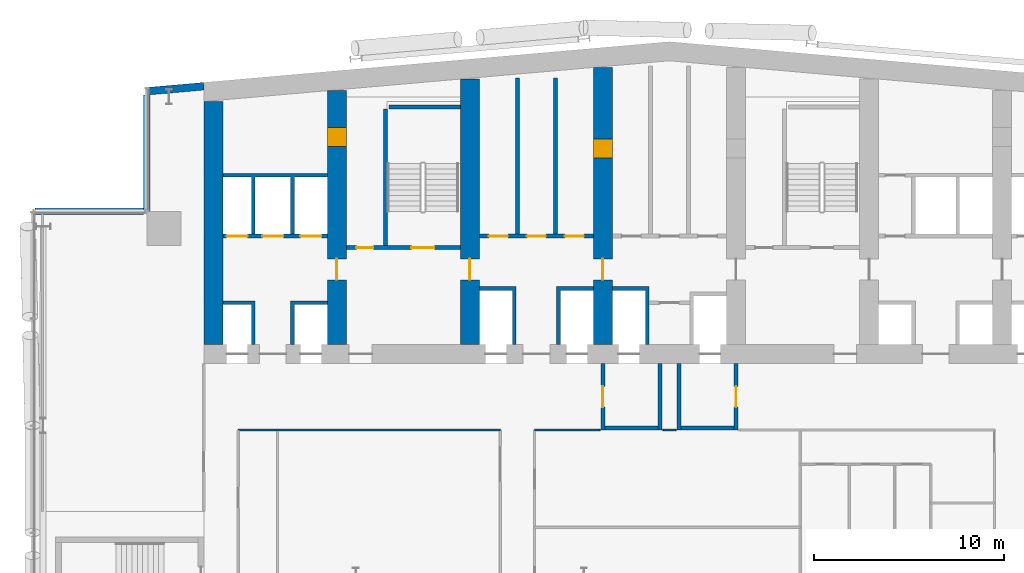
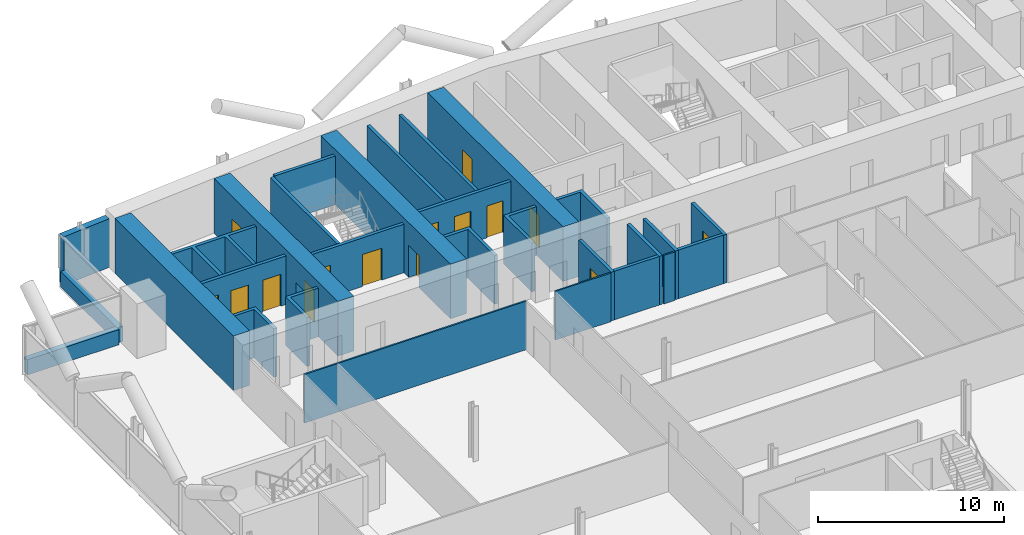
# One storey, part 16 of 27: 29 walls, 15 doors, 15 openings.
"""IFC4 building model written with IfcOpenShell, lengths in metres."""

from ifc_helpers import new_model, si_unit, direction, frame, frame_2d, origin, place, context, subcontext, project, spatial, polyline, rectangle, outline, extrude, material, layer, layer_set, type_object, element, fill, save


model = new_model("IFC4")

# Units and contexts
model_context = context("Model", 3, precision=1e-05, world=origin(), true_north=direction((0.0, 1.0)))
body_context = subcontext(model_context, "Body", "Model", "MODEL_VIEW")
ifc_project = project(units=[si_unit("LENGTHUNIT", "METRE"), si_unit("AREAUNIT", "SQUARE_METRE"), si_unit("VOLUMEUNIT", "CUBIC_METRE"), si_unit("PLANEANGLEUNIT", "RADIAN"), si_unit("MASSUNIT", "GRAM", prefix="KILO")], contexts=[model_context])

# Site, building, storey
site_placement = place(None, origin())
site = spatial("IfcSite", under=ifc_project, at=site_placement, CompositionType="ELEMENT")
building_placement = place(site_placement, origin())
building = spatial("IfcBuilding", under=site, at=building_placement, Name="Wharfspan Tower", CompositionType="ELEMENT")
storey_placement = place(building_placement, frame((0.0, 0.0, 118.300049)))
storey = spatial("IfcBuildingStorey", under=building, at=storey_placement, Name="L27", CompositionType="ELEMENT", Elevation=118.300049)

# Walls
ifc_material_1 = material(Name="Gypsum board on steel studs", Category="steel")
ifc_layer_1 = layer(ifc_material_1, 0.100098)
ifc_layer_set_1 = layer_set([ifc_layer_1], Name="Gypsum board on steel studs")
wall_type_1 = type_object("IfcWallType", Name="Compartment wall 100 EI 60", PredefinedType="PARTITIONING", material=ifc_layer_set_1)
wall_1_placement = place(storey_placement, frame((17.800049, 30.5, 0.0), z_axis=(0.0, 0.0, 1.0), x_axis=(1.0, 0.0, 0.0)))
element("IfcWall", 1, at=wall_1_placement, inside=storey, type_object=wall_type_1, Name="Partition L27.w009", PredefinedType="PARTITIONING", context=body_context, shape_type="SweptSolid", body=[
    extrude(rectangle(XDim=13.800049, YDim=0.100098, at=frame_2d((6.899902, 0.0))), origin(), (0.0, 0.0, 1.0), 3.199951),
])
wall_2_placement = place(storey_placement, frame((33.399902, 30.5, 0.0), z_axis=(0.0, 0.0, 1.0), x_axis=(1.0, 0.0, 0.0)))
element("IfcWall", 2, at=wall_2_placement, inside=storey, type_object=wall_type_1, Name="Partition L27.w020", PredefinedType="PARTITIONING", context=body_context, shape_type="SweptSolid", body=[
    extrude(rectangle(XDim=3.450195, YDim=0.100098, at=frame_2d((1.725098, 0.0))), origin(), (0.0, 0.0, 1.0), 3.199951),
])
wall_3_placement = place(storey_placement, frame((40.149902, 30.5, 0.0), z_axis=(0.0, 0.0, 1.0), x_axis=(1.0, 0.0, 0.0)))
element("IfcWall", 3, at=wall_3_placement, inside=storey, type_object=wall_type_1, Name="Partition L27.w020 (2)", PredefinedType="PARTITIONING", context=body_context, shape_type="SweptSolid", body=[
    extrude(rectangle(XDim=0.700195, YDim=0.100098, at=frame_2d((0.350098, 0.0))), origin(), (0.0, 0.0, 1.0), 3.199951),
])
ifc_material_2 = material(Name="Calcium silicate masonry", Category="masonry")
ifc_layer_2 = layer(ifc_material_2, 0.199951)
ifc_layer_set_2 = layer_set([ifc_layer_2], Name="Calcium silicate masonry")
wall_type_2 = type_object("IfcWallType", Name="Core room wall 200", PredefinedType="PARTITIONING", material=ifc_layer_set_2)
for number, where, z_axis, x_axis, name in (
    (4, (32.5, 40.800049, 0.0), (0.0, 0.0, 1.0), (0.0, 1.0, 0.0), "sw:L27:RP3.1"),
    (5, (34.5, 40.800049, 0.0), (0.0, 0.0, 1.0), (0.0, 1.0, 0.0), "sw:L27:RP3.2"),
):
    element("IfcWall", number, at=place(storey_placement, frame(where, z_axis=z_axis, x_axis=x_axis)), inside=storey, type_object=wall_type_2, Name=name, PredefinedType="PARTITIONING", context=body_context, shape_type="SweptSolid", body=[
        extrude(rectangle(XDim=8.232178, YDim=0.199951, at=frame_2d((4.116211, 0.0))), origin(), (0.0, 0.0, 1.0), 3.199951),
    ])
ifc_material_3 = material(Name="Concrete C70/85", Category="concrete")
ifc_layer_3 = layer(ifc_material_3, 1.0)
ifc_layer_set_3 = layer_set([ifc_layer_3], Name="Concrete C70/85")
wall_type_3 = type_object("IfcWallType", Name="Core wall 1000 C70/85", PredefinedType="SHEAR", material=ifc_layer_set_3)
wall_4_placement = place(storey_placement, frame((16.5, 35.0, 0.0), z_axis=(0.0, 0.0, 1.0), x_axis=(0.0, 1.0, 0.0)))
element("IfcWall", 6, at=wall_4_placement, inside=storey, type_object=wall_type_3, Name="Core cross wall EW0 L27", PredefinedType="SHEAR", context=body_context, shape_type="SweptSolid", body=[
    extrude(rectangle(XDim=12.783691, YDim=1.0, at=frame_2d((6.391846, 0.0))), origin(), (0.0, 0.0, 1.0), 3.599854),
])

# Wall, openings, doors
wall_5_placement = place(storey_placement, frame((23.0, 35.0, 0.0), z_axis=(0.0, 0.0, 1.0), x_axis=(0.0, 1.0, 0.0)))
wall_5 = element("IfcWall", 7, at=wall_5_placement, inside=storey, type_object=wall_type_3, Name="Core cross wall X2 L27", PredefinedType="SHEAR", context=body_context, shape_type="SweptSolid", body=[
    extrude(rectangle(XDim=13.352295, YDim=1.0, at=frame_2d((6.67627, 0.0))), origin(), (0.0, 0.0, 1.0), 3.599854),
])
opening_1_placement = place(wall_5_placement, frame((10.425537, 0.0, 0.0)))
opening_1 = element("IfcOpeningElement", 8, at=opening_1_placement, cuts=wall_5, Name="Opening CD27.1X", PredefinedType="OPENING", context=body_context, shape_type="SweptSolid", body=[
    extrude(rectangle(XDim=1.0, YDim=2.100098, at=frame_2d((0.5, 1.050049))), frame((0.0, 0.51001, 0.0), z_axis=(0.0, -1.0, 0.0), x_axis=(1.0, 0.0, 0.0)), (0.0, 0.0, 1.0), 1.02002),
])
opening_2_placement = place(wall_5_placement, frame((3.399902, 0.0, 0.0)))
opening_2 = element("IfcOpeningElement", 9, at=opening_2_placement, cuts=wall_5, Name="Opening CC27.2", PredefinedType="OPENING", context=body_context, shape_type="SweptSolid", body=[
    extrude(rectangle(XDim=1.100098, YDim=2.100098, at=frame_2d((0.550049, 1.050049))), frame((0.0, 0.51001, 0.0), z_axis=(0.0, -1.0, 0.0), x_axis=(1.0, 0.0, 0.0)), (0.0, 0.0, 1.0), 1.02002),
])
ifc_material_4 = material(Name="Steel door leaf", Category="steel")
door_type_1 = type_object("IfcDoorType", Name="Core corridor door 1100x2100", OperationType="SINGLE_SWING_LEFT", PredefinedType="DOOR", material=ifc_material_4)
door_1_placement = place(opening_2_placement, origin())
door_1 = element("IfcDoor", 10, at=door_1_placement, inside=storey, type_object=door_type_1, Name="xd:L27:2", OperationType="SINGLE_SWING_RIGHT", OverallHeight=2.100098, OverallWidth=1.100098, PredefinedType="DOOR", context=body_context, shape_type="SweptSolid", body=[
    extrude(rectangle(XDim=1.100098, YDim=2.100098, at=frame_2d((0.550049, 1.050049))), frame((0.0, 0.024902, 0.0), z_axis=(0.0, -1.0, 0.0), x_axis=(1.0, 0.0, 0.0)), (0.0, 0.0, 1.0), 0.050049),
])
fill(opening_2, door_1)
door_type_2 = type_object("IfcDoorType", Name="Core room door 1000x2100", OperationType="SINGLE_SWING_LEFT", PredefinedType="DOOR", material=ifc_material_4)
door_2_placement = place(opening_1_placement, origin())
door_2 = element("IfcDoor", 11, at=door_2_placement, inside=storey, type_object=door_type_2, Name="d:L27:1:sx", OperationType="SINGLE_SWING_LEFT", OverallHeight=2.100098, OverallWidth=1.0, PredefinedType="DOOR", context=body_context, shape_type="SweptSolid", body=[
    extrude(rectangle(XDim=1.0, YDim=2.100098, at=frame_2d((0.5, 1.050049))), frame((0.0, 0.499756, 0.0), z_axis=(0.0, -1.0, 0.0), x_axis=(1.0, 0.0, 0.0)), (0.0, 0.0, 1.0), 0.999512),
])
fill(opening_1, door_2)

# Wall, opening, door
wall_6_placement = place(storey_placement, frame((30.0, 35.0, 0.0), z_axis=(0.0, 0.0, 1.0), x_axis=(0.0, 1.0, 0.0)))
wall_6 = element("IfcWall", 12, at=wall_6_placement, inside=storey, type_object=wall_type_3, Name="Core cross wall X3 L27", PredefinedType="SHEAR", context=body_context, shape_type="SweptSolid", body=[
    extrude(rectangle(XDim=13.9646, YDim=1.0, at=frame_2d((6.982422, 0.0))), origin(), (0.0, 0.0, 1.0), 3.599854),
])
opening_3_placement = place(wall_6_placement, frame((3.399902, 0.0, 0.0)))
opening_3 = element("IfcOpeningElement", 13, at=opening_3_placement, cuts=wall_6, Name="Opening CC27.3", PredefinedType="OPENING", context=body_context, shape_type="SweptSolid", body=[
    extrude(rectangle(XDim=1.100098, YDim=2.100098, at=frame_2d((0.550049, 1.050049))), frame((0.0, 0.51001, 0.0), z_axis=(0.0, -1.0, 0.0), x_axis=(1.0, 0.0, 0.0)), (0.0, 0.0, 1.0), 1.02002),
])
door_3_placement = place(opening_3_placement, origin())
door_3 = element("IfcDoor", 14, at=door_3_placement, inside=storey, type_object=door_type_1, Name="xd:L27:3", OperationType="SINGLE_SWING_LEFT", OverallHeight=2.100098, OverallWidth=1.100098, PredefinedType="DOOR", context=body_context, shape_type="SweptSolid", body=[
    extrude(rectangle(XDim=1.100098, YDim=2.100098, at=frame_2d((0.550049, 1.050049))), frame((0.0, 0.024902, 0.0), z_axis=(0.0, -1.0, 0.0), x_axis=(1.0, 0.0, 0.0)), (0.0, 0.0, 1.0), 0.050049),
])
fill(opening_3, door_3)

# Wall, openings, doors
wall_7_placement = place(storey_placement, frame((37.0, 35.0, 0.0), z_axis=(0.0, 0.0, 1.0), x_axis=(0.0, 1.0, 0.0)))
wall_7 = element("IfcWall", 15, at=wall_7_placement, inside=storey, type_object=wall_type_3, Name="Core cross wall X4 L27", PredefinedType="SHEAR", context=body_context, shape_type="SweptSolid", body=[
    extrude(rectangle(XDim=14.577148, YDim=1.0, at=frame_2d((7.288574, 0.0))), origin(), (0.0, 0.0, 1.0), 3.599854),
])
opening_4_placement = place(wall_7_placement, frame((3.399902, 0.0, 0.0)))
opening_4 = element("IfcOpeningElement", 16, at=opening_4_placement, cuts=wall_7, Name="Opening CC27.4", PredefinedType="OPENING", context=body_context, shape_type="SweptSolid", body=[
    extrude(rectangle(XDim=1.100098, YDim=2.100098, at=frame_2d((0.550049, 1.050049))), frame((0.0, 0.51001, 0.0), z_axis=(0.0, -1.0, 0.0), x_axis=(1.0, 0.0, 0.0)), (0.0, 0.0, 1.0), 1.02002),
])
opening_5_placement = place(wall_7_placement, frame((9.800049, 0.0, 0.0)))
opening_5 = element("IfcOpeningElement", 17, at=opening_5_placement, cuts=wall_7, Name="Opening CR27.4", PredefinedType="OPENING", context=body_context, shape_type="SweptSolid", body=[
    extrude(rectangle(XDim=1.0, YDim=2.100098, at=frame_2d((0.5, 1.050049))), frame((0.0, 0.51001, 0.0), z_axis=(0.0, -1.0, 0.0), x_axis=(1.0, 0.0, 0.0)), (0.0, 0.0, 1.0), 1.02002),
])
door_4_placement = place(opening_4_placement, origin())
door_4 = element("IfcDoor", 18, at=door_4_placement, inside=storey, type_object=door_type_1, Name="xd:L27:4", OperationType="SINGLE_SWING_RIGHT", OverallHeight=2.100098, OverallWidth=1.100098, PredefinedType="DOOR", context=body_context, shape_type="SweptSolid", body=[
    extrude(rectangle(XDim=1.100098, YDim=2.100098, at=frame_2d((0.550049, 1.050049))), frame((0.0, 0.024902, 0.0), z_axis=(0.0, -1.0, 0.0), x_axis=(1.0, 0.0, 0.0)), (0.0, 0.0, 1.0), 0.050049),
])
fill(opening_4, door_4)
door_5_placement = place(opening_5_placement, origin())
door_5 = element("IfcDoor", 19, at=door_5_placement, inside=storey, type_object=door_type_2, Name="xr:L27:4", OperationType="SINGLE_SWING_RIGHT", OverallHeight=2.100098, OverallWidth=1.0, PredefinedType="DOOR", context=body_context, shape_type="SweptSolid", body=[
    extrude(rectangle(XDim=1.0, YDim=2.100098, at=frame_2d((0.5, 1.050049))), frame((0.0, 0.499756, 0.0), z_axis=(0.0, -1.0, 0.0), x_axis=(1.0, 0.0, 0.0)), (0.0, 0.0, 1.0), 0.999512),
])
fill(opening_5, door_5)

ifc_material_5 = material(Name="Concrete C30/37", Category="concrete")
ifc_layer_4 = layer(ifc_material_5, 0.199951)
ifc_layer_set_4 = layer_set([ifc_layer_4], Name="Concrete C30/37")
wall_type_4 = type_object("IfcWallType", Name="Lift shaft wall 200", PredefinedType="PARTITIONING", material=ifc_layer_set_4)
wall_8_placement = place(storey_placement, frame((17.0, 40.699951, 0.0), z_axis=(0.0, 0.0, 1.0), x_axis=(1.0, 0.0, 0.0)))
wall_8 = element("IfcWall", 20, at=wall_8_placement, inside=storey, type_object=wall_type_4, Name="sw:L27:RF1", PredefinedType="PARTITIONING", context=body_context, shape_type="SweptSolid", body=[
    extrude(rectangle(XDim=5.5, YDim=0.199951, at=frame_2d((2.75, 0.0))), origin(), (0.0, 0.0, 1.0), 3.199951),
])
opening_6_placement = place(wall_8_placement, frame((0.199951, 0.0, 0.0)))
opening_6 = element("IfcOpeningElement", 21, at=opening_6_placement, cuts=wall_8, Name="Opening LD.LA3.L27", PredefinedType="OPENING", context=body_context, shape_type="SweptSolid", body=[
    extrude(rectangle(XDim=1.100098, YDim=2.100098, at=frame_2d((0.550049, 1.050049))), frame((0.0, 0.109863, 0.0), z_axis=(0.0, -1.0, 0.0), x_axis=(1.0, 0.0, 0.0)), (0.0, 0.0, 1.0), 0.219971),
])
opening_7_placement = place(wall_8_placement, frame((2.083252, 0.0, 0.0)))
opening_7 = element("IfcOpeningElement", 22, at=opening_7_placement, cuts=wall_8, Name="Opening LD.LA4.L27", PredefinedType="OPENING", context=body_context, shape_type="SweptSolid", body=[
    extrude(rectangle(XDim=1.100098, YDim=2.100098, at=frame_2d((0.550049, 1.050049))), frame((0.0, 0.109863, 0.0), z_axis=(0.0, -1.0, 0.0), x_axis=(1.0, 0.0, 0.0)), (0.0, 0.0, 1.0), 0.219971),
])
opening_8_placement = place(wall_8_placement, frame((4.083252, 0.0, 0.0)))
opening_8 = element("IfcOpeningElement", 23, at=opening_8_placement, cuts=wall_8, Name="Opening LD.LA5.L27", PredefinedType="OPENING", context=body_context, shape_type="SweptSolid", body=[
    extrude(rectangle(XDim=1.100098, YDim=2.100098, at=frame_2d((0.550049, 1.050049))), frame((0.0, 0.109863, 0.0), z_axis=(0.0, -1.0, 0.0), x_axis=(1.0, 0.0, 0.0)), (0.0, 0.0, 1.0), 0.219971),
])
ifc_material_6 = material(Name="Stainless steel", Category="steel")
door_type_3 = type_object("IfcDoorType", Name="Lift landing door 1100x2100", OperationType="DOUBLE_DOOR_SLIDING", PredefinedType="DOOR", material=ifc_material_6)
door_6_placement = place(opening_6_placement, origin())
door_6 = element("IfcDoor", 24, at=door_6_placement, inside=storey, type_object=door_type_3, Name="Landing door LA3 L27", OperationType="DOUBLE_DOOR_SLIDING", OverallHeight=2.100098, OverallWidth=1.100098, PredefinedType="DOOR", context=body_context, shape_type="SweptSolid", body=[
    extrude(rectangle(XDim=1.100098, YDim=2.100098, at=frame_2d((0.550049, 1.050049))), frame((0.0, 0.024902, 0.0), z_axis=(0.0, -1.0, 0.0), x_axis=(1.0, 0.0, 0.0)), (0.0, 0.0, 1.0), 0.050049),
])
fill(opening_6, door_6)
door_7_placement = place(opening_7_placement, origin())
door_7 = element("IfcDoor", 25, at=door_7_placement, inside=storey, type_object=door_type_3, Name="Landing door LA4 L27", OperationType="DOUBLE_DOOR_SLIDING", OverallHeight=2.100098, OverallWidth=1.100098, PredefinedType="DOOR", context=body_context, shape_type="SweptSolid", body=[
    extrude(rectangle(XDim=1.100098, YDim=2.100098, at=frame_2d((0.550049, 1.050049))), frame((0.0, 0.024902, 0.0), z_axis=(0.0, -1.0, 0.0), x_axis=(1.0, 0.0, 0.0)), (0.0, 0.0, 1.0), 0.050049),
])
fill(opening_7, door_7)
door_8_placement = place(opening_8_placement, origin())
door_8 = element("IfcDoor", 26, at=door_8_placement, inside=storey, type_object=door_type_3, Name="Landing door LA5 L27", OperationType="DOUBLE_DOOR_SLIDING", OverallHeight=2.100098, OverallWidth=1.100098, PredefinedType="DOOR", context=body_context, shape_type="SweptSolid", body=[
    extrude(rectangle(XDim=1.100098, YDim=2.100098, at=frame_2d((0.550049, 1.050049))), frame((0.0, 0.024902, 0.0), z_axis=(0.0, -1.0, 0.0), x_axis=(1.0, 0.0, 0.0)), (0.0, 0.0, 1.0), 0.050049),
])
fill(opening_8, door_8)

# Walls
wall_9_placement = place(storey_placement, frame((0.0, 0.0, -0.000244)))
element("IfcWall", 27, at=wall_9_placement, inside=storey, type_object=wall_type_4, Name="sw:L27:FM1.0", PredefinedType="PARTITIONING", context=body_context, shape_type="SweptSolid", body=[
    extrude(outline(polyline([(18.5, 37.100098), (17.0, 37.100098), (17.0, 37.300049), (18.5, 37.300049), (18.699951, 37.300049), (18.699951, 35.0), (18.5, 35.0), (18.5, 37.100098)])), origin(), (0.0, 0.0, 1.0), 3.200195),
])
wall_10_placement = place(storey_placement, frame((0.0, 0.0, -0.000244)))
element("IfcWall", 28, at=wall_10_placement, inside=storey, type_object=wall_type_4, Name="sw:L27:FM1.1", PredefinedType="PARTITIONING", context=body_context, shape_type="SweptSolid", body=[
    extrude(outline(polyline([(20.56665, 37.300049), (20.766602, 37.300049), (22.5, 37.300049), (22.5, 37.100098), (20.766602, 37.100098), (20.766602, 35.0), (20.56665, 35.0), (20.56665, 37.300049)])), origin(), (0.0, 0.0, 1.0), 3.200195),
])
wall_11_placement = place(storey_placement, frame((0.0, 0.0, -0.000244)))
element("IfcWall", 29, at=wall_11_placement, inside=storey, type_object=wall_type_4, Name="sw:L27:RM1.0", PredefinedType="PARTITIONING", context=body_context, shape_type="SweptSolid", body=[
    extrude(outline(polyline([(18.699951, 40.800049), (18.5, 40.800049), (18.5, 43.800049), (17.0, 43.800049), (17.0, 44.0), (22.5, 44.0), (22.5, 43.800049), (20.766602, 43.800049), (20.766602, 40.800049), (20.56665, 40.800049), (20.56665, 43.800049), (18.699951, 43.800049), (18.699951, 40.800049)])), origin(), (0.0, 0.0, 1.0), 3.200195),
])

# Wall, openings, doors
wall_12_placement = place(storey_placement, frame((30.5, 40.699951, 0.0), z_axis=(0.0, 0.0, 1.0), x_axis=(1.0, 0.0, 0.0)))
wall_12 = element("IfcWall", 30, at=wall_12_placement, inside=storey, type_object=wall_type_4, Name="sw:L27:RF3", PredefinedType="PARTITIONING", context=body_context, shape_type="SweptSolid", body=[
    extrude(rectangle(XDim=6.0, YDim=0.199951, at=frame_2d((3.0, 0.0))), origin(), (0.0, 0.0, 1.0), 3.199951),
])
opening_9_placement = place(wall_12_placement, frame((0.5, 0.0, 0.0)))
opening_9 = element("IfcOpeningElement", 31, at=opening_9_placement, cuts=wall_12, Name="Opening CD27.3S", PredefinedType="OPENING", context=body_context, shape_type="SweptSolid", body=[
    extrude(rectangle(XDim=1.0, YDim=2.100098, at=frame_2d((0.5, 1.050049))), frame((0.0, 0.109863, 0.0), z_axis=(0.0, -1.0, 0.0), x_axis=(1.0, 0.0, 0.0)), (0.0, 0.0, 1.0), 0.219971),
])
opening_10_placement = place(wall_12_placement, frame((2.5, 0.0, 0.0)))
opening_10 = element("IfcOpeningElement", 32, at=opening_10_placement, cuts=wall_12, Name="Opening CD27.3Sa", PredefinedType="OPENING", context=body_context, shape_type="SweptSolid", body=[
    extrude(rectangle(XDim=1.0, YDim=2.100098, at=frame_2d((0.5, 1.050049))), frame((0.0, 0.109863, 0.0), z_axis=(0.0, -1.0, 0.0), x_axis=(1.0, 0.0, 0.0)), (0.0, 0.0, 1.0), 0.219971),
])
opening_11_placement = place(wall_12_placement, frame((4.5, 0.0, 0.0)))
opening_11 = element("IfcOpeningElement", 33, at=opening_11_placement, cuts=wall_12, Name="Opening CD27.3Sb", PredefinedType="OPENING", context=body_context, shape_type="SweptSolid", body=[
    extrude(rectangle(XDim=1.0, YDim=2.100098, at=frame_2d((0.5, 1.050049))), frame((0.0, 0.109863, 0.0), z_axis=(0.0, -1.0, 0.0), x_axis=(1.0, 0.0, 0.0)), (0.0, 0.0, 1.0), 0.219971),
])
door_9_placement = place(opening_9_placement, origin())
door_9 = element("IfcDoor", 34, at=door_9_placement, inside=storey, type_object=door_type_2, Name="d:L27:3:sf", OperationType="SINGLE_SWING_LEFT", OverallHeight=2.100098, OverallWidth=1.0, PredefinedType="DOOR", context=body_context, shape_type="SweptSolid", body=[
    extrude(rectangle(XDim=1.0, YDim=2.100098, at=frame_2d((0.5, 1.050049))), frame((0.0, 0.024902, 0.0), z_axis=(0.0, -1.0, 0.0), x_axis=(1.0, 0.0, 0.0)), (0.0, 0.0, 1.0), 0.050049),
])
fill(opening_9, door_9)
door_10_placement = place(opening_10_placement, origin())
door_10 = element("IfcDoor", 35, at=door_10_placement, inside=storey, type_object=door_type_2, Name="d:L27:3:sf1", OperationType="SINGLE_SWING_LEFT", OverallHeight=2.100098, OverallWidth=1.0, PredefinedType="DOOR", context=body_context, shape_type="SweptSolid", body=[
    extrude(rectangle(XDim=1.0, YDim=2.100098, at=frame_2d((0.5, 1.050049))), frame((0.0, 0.024902, 0.0), z_axis=(0.0, -1.0, 0.0), x_axis=(1.0, 0.0, 0.0)), (0.0, 0.0, 1.0), 0.050049),
])
fill(opening_10, door_10)
door_11_placement = place(opening_11_placement, origin())
door_11 = element("IfcDoor", 36, at=door_11_placement, inside=storey, type_object=door_type_2, Name="d:L27:3:sf2", OperationType="SINGLE_SWING_LEFT", OverallHeight=2.100098, OverallWidth=1.0, PredefinedType="DOOR", context=body_context, shape_type="SweptSolid", body=[
    extrude(rectangle(XDim=1.0, YDim=2.100098, at=frame_2d((0.5, 1.050049))), frame((0.0, 0.024902, 0.0), z_axis=(0.0, -1.0, 0.0), x_axis=(1.0, 0.0, 0.0)), (0.0, 0.0, 1.0), 0.050049),
])
fill(opening_11, door_11)

# Walls
wall_13_placement = place(storey_placement, frame((0.0, 0.0, -0.000244)))
element("IfcWall", 37, at=wall_13_placement, inside=storey, type_object=wall_type_4, Name="sw:L27:FM3.0", PredefinedType="PARTITIONING", context=body_context, shape_type="SweptSolid", body=[
    extrude(outline(polyline([(32.233398, 37.850098), (30.5, 37.850098), (30.5, 38.050049), (32.233398, 38.050049), (32.43335, 38.050049), (32.43335, 35.0), (32.233398, 35.0), (32.233398, 37.850098)])), origin(), (0.0, 0.0, 1.0), 3.200195),
])
wall_14_placement = place(storey_placement, frame((0.0, 0.0, -0.000244)))
element("IfcWall", 38, at=wall_14_placement, inside=storey, type_object=wall_type_4, Name="sw:L27:FM3.1", PredefinedType="PARTITIONING", context=body_context, shape_type="SweptSolid", body=[
    extrude(outline(polyline([(34.56665, 38.050049), (34.766602, 38.050049), (36.5, 38.050049), (36.5, 37.850098), (34.766602, 37.850098), (34.766602, 35.0), (34.56665, 35.0), (34.56665, 38.050049)])), origin(), (0.0, 0.0, 1.0), 3.200195),
])
wall_15_placement = place(storey_placement, frame((0.0, 0.0, -0.000244)))
element("IfcWall", 39, at=wall_15_placement, inside=storey, type_object=wall_type_4, Name="sw:L27:FM4.1", PredefinedType="PARTITIONING", context=body_context, shape_type="SweptSolid", body=[
    extrude(outline(polyline([(39.233398, 37.850098), (37.5, 37.850098), (37.5, 38.050049), (39.233398, 38.050049), (39.43335, 38.050049), (39.43335, 35.0), (39.233398, 35.0), (39.233398, 37.850098)])), origin(), (0.0, 0.0, 1.0), 3.200195),
])

# Wall, opening, door
ifc_layer_5 = layer(ifc_material_5, 0.199951)
ifc_layer_set_5 = layer_set([ifc_layer_5], Name="Concrete C30/37")
wall_type_5 = type_object("IfcWallType", Name="Lobby wall 200", PredefinedType="PARTITIONING", material=ifc_layer_set_5)
wall_16_placement = place(storey_placement, frame((37.0, 30.5, 0.0), z_axis=(0.0, 0.0, 1.0), x_axis=(0.0, 1.0, 0.0)))
wall_16 = element("IfcWall", 40, at=wall_16_placement, inside=storey, type_object=wall_type_5, Name="sw:L27:FLFF1W", PredefinedType="PARTITIONING", context=body_context, shape_type="SweptSolid", body=[
    extrude(rectangle(XDim=3.5, YDim=0.199951, at=frame_2d((1.75, 0.0))), origin(), (0.0, 0.0, 1.0), 3.199951),
])
opening_12_placement = place(wall_16_placement, frame((1.199951, 0.0, 0.0)))
opening_12 = element("IfcOpeningElement", 41, at=opening_12_placement, cuts=wall_16, Name="Opening FL.FF1.L27", PredefinedType="OPENING", context=body_context, shape_type="SweptSolid", body=[
    extrude(rectangle(XDim=1.100098, YDim=2.100098, at=frame_2d((0.550049, 1.050049))), frame((0.0, 0.109863, 0.0), z_axis=(0.0, -1.0, 0.0), x_axis=(1.0, 0.0, 0.0)), (0.0, 0.0, 1.0), 0.219971),
])
door_type_4 = type_object("IfcDoorType", Name="Firefighting lobby door 1100x2100", OperationType="SINGLE_SWING_LEFT", PredefinedType="DOOR", material=ifc_material_4)
door_12_placement = place(opening_12_placement, origin())
door_12 = element("IfcDoor", 42, at=door_12_placement, inside=storey, type_object=door_type_4, Name="fd:L27:FF1", OperationType="SINGLE_SWING_LEFT", OverallHeight=2.100098, OverallWidth=1.100098, PredefinedType="DOOR", context=body_context, shape_type="SweptSolid", body=[
    extrude(rectangle(XDim=1.100098, YDim=2.100098, at=frame_2d((0.550049, 1.050049))), frame((0.0, 0.024902, 0.0), z_axis=(0.0, -1.0, 0.0), x_axis=(1.0, 0.0, 0.0)), (0.0, 0.0, 1.0), 0.050049),
])
fill(opening_12, door_12)

# Walls
wall_17_placement = place(storey_placement, frame((40.0, 30.5, 0.0), z_axis=(0.0, 0.0, 1.0), x_axis=(0.0, 1.0, 0.0)))
element("IfcWall", 43, at=wall_17_placement, inside=storey, type_object=wall_type_5, Name="sw:L27:FLFF1E", PredefinedType="PARTITIONING", context=body_context, shape_type="SweptSolid", body=[
    extrude(rectangle(XDim=3.5, YDim=0.199951, at=frame_2d((1.75, 0.0))), origin(), (0.0, 0.0, 1.0), 3.199951),
])
wall_18_placement = place(storey_placement, frame((37.100098, 30.600098, 0.0), z_axis=(0.0, 0.0, 1.0), x_axis=(1.0, 0.0, 0.0)))
element("IfcWall", 44, at=wall_18_placement, inside=storey, type_object=wall_type_5, Name="sw:L27:FLFF1F", PredefinedType="PARTITIONING", context=body_context, shape_type="SweptSolid", body=[
    extrude(rectangle(XDim=2.799805, YDim=0.199951, at=frame_2d((1.399902, 0.0))), origin(), (0.0, 0.0, 1.0), 3.199951),
])
wall_19_placement = place(storey_placement, frame((41.0, 30.5, 0.0), z_axis=(0.0, 0.0, 1.0), x_axis=(0.0, 1.0, 0.0)))
element("IfcWall", 45, at=wall_19_placement, inside=storey, type_object=wall_type_5, Name="sw:L27:FLFF2W", PredefinedType="PARTITIONING", context=body_context, shape_type="SweptSolid", body=[
    extrude(rectangle(XDim=3.5, YDim=0.199951, at=frame_2d((1.75, 0.0))), origin(), (0.0, 0.0, 1.0), 3.199951),
])

# Wall, opening, door
wall_20_placement = place(storey_placement, frame((44.0, 30.5, 0.0), z_axis=(0.0, 0.0, 1.0), x_axis=(0.0, 1.0, 0.0)))
wall_20 = element("IfcWall", 46, at=wall_20_placement, inside=storey, type_object=wall_type_5, Name="sw:L27:FLFF2E", PredefinedType="PARTITIONING", context=body_context, shape_type="SweptSolid", body=[
    extrude(rectangle(XDim=3.5, YDim=0.199951, at=frame_2d((1.75, 0.0))), origin(), (0.0, 0.0, 1.0), 3.199951),
])
opening_13_placement = place(wall_20_placement, frame((1.199951, 0.0, 0.0)))
opening_13 = element("IfcOpeningElement", 47, at=opening_13_placement, cuts=wall_20, Name="Opening FL.FF2.L27", PredefinedType="OPENING", context=body_context, shape_type="SweptSolid", body=[
    extrude(rectangle(XDim=1.100098, YDim=2.100098, at=frame_2d((0.550049, 1.050049))), frame((0.0, 0.109863, 0.0), z_axis=(0.0, -1.0, 0.0), x_axis=(1.0, 0.0, 0.0)), (0.0, 0.0, 1.0), 0.219971),
])
door_13_placement = place(opening_13_placement, origin())
door_13 = element("IfcDoor", 48, at=door_13_placement, inside=storey, type_object=door_type_4, Name="fd:L27:FF2", OperationType="SINGLE_SWING_LEFT", OverallHeight=2.100098, OverallWidth=1.100098, PredefinedType="DOOR", context=body_context, shape_type="SweptSolid", body=[
    extrude(rectangle(XDim=1.100098, YDim=2.100098, at=frame_2d((0.550049, 1.050049))), frame((0.0, 0.024902, 0.0), z_axis=(0.0, -1.0, 0.0), x_axis=(1.0, 0.0, 0.0)), (0.0, 0.0, 1.0), 0.050049),
])
fill(opening_13, door_13)

# Walls
wall_21_placement = place(storey_placement, frame((41.100098, 30.600098, 0.0), z_axis=(0.0, 0.0, 1.0), x_axis=(1.0, 0.0, 0.0)))
element("IfcWall", 49, at=wall_21_placement, inside=storey, type_object=wall_type_5, Name="sw:L27:FLFF2F", PredefinedType="PARTITIONING", context=body_context, shape_type="SweptSolid", body=[
    extrude(rectangle(XDim=2.799805, YDim=0.199951, at=frame_2d((1.399902, 0.0))), origin(), (0.0, 0.0, 1.0), 3.199951),
])
ifc_material_7 = material(Name="Concrete C40/50", Category="concrete")
ifc_layer_6 = layer(ifc_material_7, 0.350098)
ifc_layer_set_6 = layer_set([ifc_layer_6], Name="Concrete C40/50")
wall_type_6 = type_object("IfcWallType", Name="SPANDREL EXPOSED CONCRETE 350", PredefinedType="SOLIDWALL", material=ifc_layer_set_6)
wall_22_placement = place(storey_placement, frame((12.995117, 48.126465, 0.0), z_axis=(0.0, 0.0, 1.0), x_axis=(0.0, -1.0, 0.0)))
element("IfcWall", 50, at=wall_22_placement, inside=storey, type_object=wall_type_6, Name="Spandrel upstand L27 NRW-V", PredefinedType="SOLIDWALL", context=body_context, shape_type="SweptSolid", body=[
    extrude(rectangle(XDim=6.126465, YDim=0.350098, at=frame_2d((3.063232, 0.0))), origin(), (0.0, 0.0, 1.0), 1.0),
])
wall_23_placement = place(storey_placement, frame((12.820068, 42.004883, 0.0), z_axis=(0.0, 0.0, 1.0), x_axis=(-1.0, 0.0, 0.0)))
element("IfcWall", 51, at=wall_23_placement, inside=storey, type_object=wall_type_6, Name="Spandrel upstand L27 NRW-H", PredefinedType="SOLIDWALL", context=body_context, shape_type="SweptSolid", body=[
    extrude(rectangle(XDim=5.699951, YDim=0.350098, at=frame_2d((2.850098, 0.0))), origin(), (0.0, 0.0, 1.0), 1.0),
])

# Wall, openings, doors
ifc_layer_7 = layer(ifc_material_7, 0.199951)
ifc_layer_set_7 = layer_set([ifc_layer_7], Name="Concrete C40/50")
wall_type_7 = type_object("IfcWallType", Name="Stair shaft wall 200", PredefinedType="SHEAR", material=ifc_layer_set_7)
wall_24_placement = place(storey_placement, frame((23.5, 40.100098, 0.0), z_axis=(0.0, 0.0, 1.0), x_axis=(1.0, 0.0, 0.0)))
wall_24 = element("IfcWall", 52, at=wall_24_placement, inside=storey, type_object=wall_type_7, Name="ST1 stair enclosure wall L27", PredefinedType="SHEAR", context=body_context, shape_type="SweptSolid", body=[
    extrude(rectangle(XDim=6.0, YDim=0.199951, at=frame_2d((3.0, 0.0))), origin(), (0.0, 0.0, 1.0), 3.199951),
])
opening_14_placement = place(wall_24_placement, frame((3.425049, 0.0, 0.0)))
opening_14 = element("IfcOpeningElement", 53, at=opening_14_placement, cuts=wall_24, Name="Opening SD2.L27", PredefinedType="OPENING", context=body_context, shape_type="SweptSolid", body=[
    extrude(rectangle(XDim=1.199951, YDim=2.100098, at=frame_2d((0.600098, 1.050049))), frame((0.0, 0.109863, 0.0), z_axis=(0.0, -1.0, 0.0), x_axis=(1.0, 0.0, 0.0)), (0.0, 0.0, 1.0), 0.219971),
])
opening_15_placement = place(wall_24_placement, frame((0.524902, 0.0, 0.0)))
opening_15 = element("IfcOpeningElement", 54, at=opening_15_placement, cuts=wall_24, Name="Opening CD27.2R", PredefinedType="OPENING", context=body_context, shape_type="SweptSolid", body=[
    extrude(rectangle(XDim=0.899902, YDim=2.100098, at=frame_2d((0.449951, 1.050049))), frame((0.0, 0.109863, 0.0), z_axis=(0.0, -1.0, 0.0), x_axis=(1.0, 0.0, 0.0)), (0.0, 0.0, 1.0), 0.219971),
])
door_14_placement = place(opening_15_placement, origin())
door_14 = element("IfcDoor", 55, at=door_14_placement, inside=storey, type_object=door_type_2, Name="rk:L27:2", OperationType="SINGLE_SWING_LEFT", OverallHeight=2.100098, OverallWidth=0.899902, PredefinedType="DOOR", context=body_context, shape_type="SweptSolid", body=[
    extrude(rectangle(XDim=0.899902, YDim=2.100098, at=frame_2d((0.449951, 1.050049))), frame((0.0, 0.024902, 0.0), z_axis=(0.0, -1.0, 0.0), x_axis=(1.0, 0.0, 0.0)), (0.0, 0.0, 1.0), 0.050049),
])
fill(opening_15, door_14)
door_type_5 = type_object("IfcDoorType", Name="Stair door 1200x2100", OperationType="SINGLE_SWING_LEFT", PredefinedType="DOOR", material=ifc_material_4)
door_15_placement = place(opening_14_placement, origin())
door_15 = element("IfcDoor", 56, at=door_15_placement, inside=storey, type_object=door_type_5, Name="sd:L27:2", OperationType="SINGLE_SWING_RIGHT", OverallHeight=2.100098, OverallWidth=1.199951, PredefinedType="DOOR", context=body_context, shape_type="SweptSolid", body=[
    extrude(rectangle(XDim=1.199951, YDim=2.100098, at=frame_2d((0.600098, 1.050049))), frame((0.0, 0.024902, 0.0), z_axis=(0.0, -1.0, 0.0), x_axis=(1.0, 0.0, 0.0)), (0.0, 0.0, 1.0), 0.050049),
])
fill(opening_14, door_15)

# Walls
wall_25_placement = place(storey_placement, frame((25.550049, 40.199951, 0.0), z_axis=(0.0, 0.0, 1.0), x_axis=(0.0, 1.0, 0.0)))
element("IfcWall", 57, at=wall_25_placement, inside=storey, type_object=wall_type_7, Name="ST1 stair enclosure wall L27", PredefinedType="SHEAR", context=body_context, shape_type="SweptSolid", body=[
    extrude(rectangle(XDim=7.199951, YDim=0.199951, at=frame_2d((3.600098, 0.0))), origin(), (0.0, 0.0, 1.0), 3.199951),
])
wall_26_placement = place(storey_placement, frame((25.75, 47.5, 0.0), z_axis=(0.0, 0.0, 1.0), x_axis=(1.0, 0.0, 0.0)))
element("IfcWall", 58, at=wall_26_placement, inside=storey, type_object=wall_type_7, Name="ST1 stair enclosure wall L27", PredefinedType="SHEAR", context=body_context, shape_type="SweptSolid", body=[
    extrude(rectangle(XDim=3.75, YDim=0.199951, at=frame_2d((1.875, 0.0))), origin(), (0.0, 0.0, 1.0), 3.199951),
])
ifc_layer_8 = layer(ifc_material_7, 0.399902)
ifc_layer_set_8 = layer_set([ifc_layer_8], Name="Concrete C40/50")
wall_type_8 = type_object("IfcWallType", Name="WALL EXPOSED CONCRETE 400", PredefinedType="SOLIDWALL", material=ifc_layer_set_8)
wall_27_placement = place(storey_placement, frame((16.0, 48.58667, 0.0), z_axis=(0.0, 0.0, 1.0), x_axis=(-0.996194, -0.087168, 0.0)))
element("IfcWall", 59, at=wall_27_placement, inside=storey, type_object=wall_type_8, Name="Rear wall N1", PredefinedType="SOLIDWALL", context=body_context, shape_type="SweptSolid", body=[
    extrude(rectangle(XDim=2.994141, YDim=0.399902, at=frame_2d((1.49707, 0.0))), origin(), (0.0, 0.0, 1.0), 3.199951),
])

save(model, "model.ifc")
